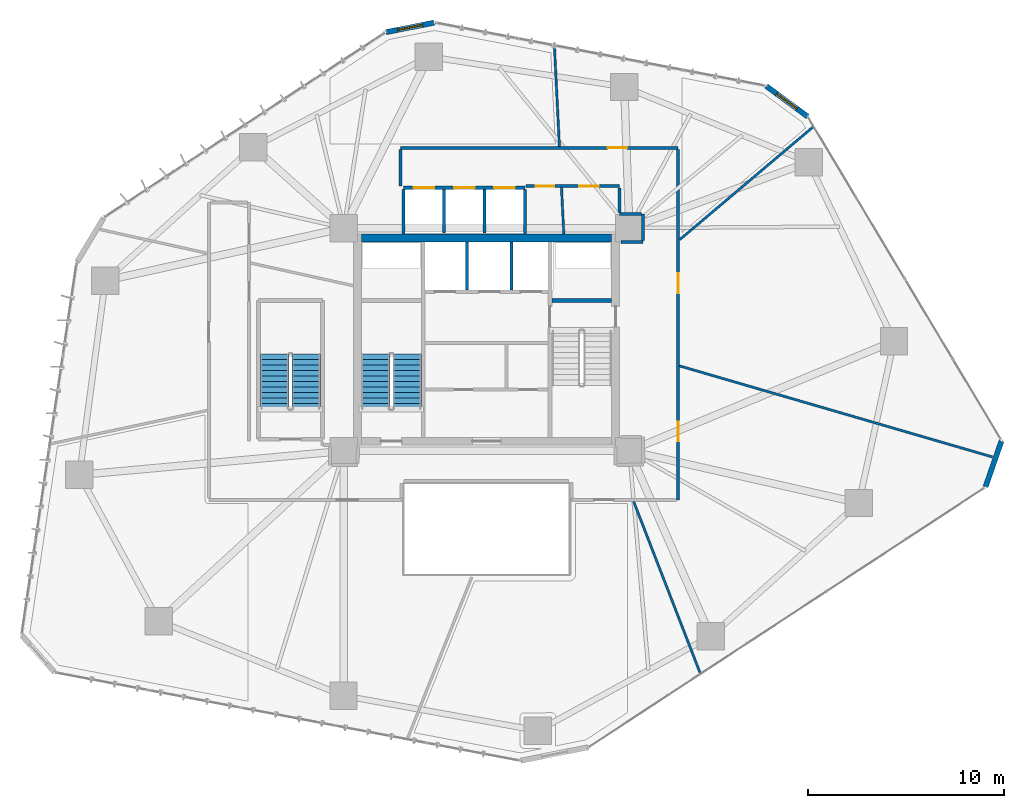
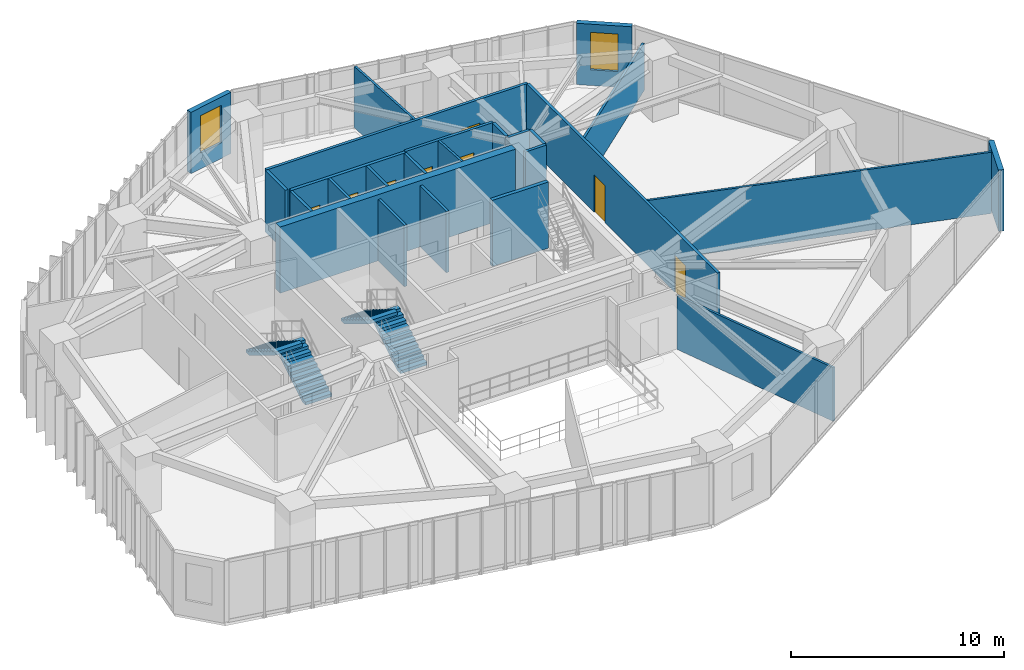
# One storey, part 17 of 20: 25 walls, 8 doors, 4 stair flights, 2 windows, 10 openings, 2 elements without a shape of their own.
"""IFC4 building model written with IfcOpenShell, lengths in metres."""

from ifc_helpers import new_model, si_unit, direction, frame, frame_2d, origin, place, context, subcontext, project, spatial, polyline, rectangle, outline, extrude, source, transform, mapped, material, layer, layer_set, type_object, type_shapes, element, fill, aggregate, save


model = new_model("IFC4")

# Units and contexts
model_context = context("Model", 3, precision=1e-05, world=origin(), true_north=direction((0.0, 1.0)))
body_context = subcontext(model_context, "Body", "Model", "MODEL_VIEW")
ifc_project = project(units=[si_unit("LENGTHUNIT", "METRE"), si_unit("AREAUNIT", "SQUARE_METRE"), si_unit("VOLUMEUNIT", "CUBIC_METRE"), si_unit("PLANEANGLEUNIT", "RADIAN"), si_unit("MASSUNIT", "GRAM", prefix="KILO")], contexts=[model_context])

# Site, building, storey
site_placement = place(None, origin())
site = spatial("IfcSite", under=ifc_project, at=site_placement, CompositionType="ELEMENT")
building_placement = place(site_placement, origin())
building = spatial("IfcBuilding", under=site, at=building_placement, Name="Talar Marvaseh", CompositionType="ELEMENT")
storey_placement = place(building_placement, frame((0.0, 0.0, 58.199951171875)))
storey = spatial("IfcBuildingStorey", under=building, at=storey_placement, Name="L14", CompositionType="ELEMENT", Elevation=58.199951171875)

# Wall, opening, window
ifc_material_1 = material(Name="Precast concrete C45/55", Category="concrete")
ifc_layer_1 = layer(ifc_material_1, 0.27001953125)
ifc_layer_set_1 = layer_set([ifc_layer_1], Name="Precast concrete C45/55")
wall_type_1 = type_object("IfcWallType", Name="Chamfered Hexagonal Corner Pier Wall Z1 270", PredefinedType="SOLIDWALL", material=ifc_layer_set_1)
wall_1_placement = place(storey_placement, frame((20.8544921875, 46.919189453125, 0.0), z_axis=(0.0, 0.0, 1.0), x_axis=(0.980777968654, 0.195127077064, 0.0)))
wall_1 = element("IfcWall", 1, at=wall_1_placement, inside=storey, type_object=wall_type_1, Name="L14 Chamfered Corner Limestone Pier 3", PredefinedType="SOLIDWALL", context=body_context, shape_type="SweptSolid", body=[
    extrude(rectangle(XDim=2.51611328125, YDim=0.27001953125, at=frame_2d((1.258056640625, 0.0))), origin(), (0.0, 0.0, 1.0), 3.52001953125),
])
opening_1_placement = place(wall_1_placement, frame((0.60791015625, 0.0, 0.89990234375)))
opening_1 = element("IfcOpeningElement", 2, at=opening_1_placement, cuts=wall_1, Name="Opening WN-CHM13", PredefinedType="OPENING", context=body_context, shape_type="SweptSolid", body=[
    extrude(rectangle(XDim=1.300048828125, YDim=2.14990234375, at=frame_2d((0.64990234375, 1.074951171875))), frame((0.0, 0.14501953125, 0.0), z_axis=(0.0, -1.0, 0.0), x_axis=(1.0, 0.0, 0.0)), (0.0, 0.0, 1.0), 0.2900390625),
])
ifc_material_2 = material(Name="Laminated Low-E Solar Glass", Category="glass")
window_type = type_object("IfcWindowType", Name="Zone 1 Chamfered Corner Slot Window 1300x2150", PartitioningType="SINGLE_PANEL", PredefinedType="WINDOW", material=ifc_material_2)
shared_shape_1 = source(origin(), body_context, "Body", "SweptSolid", [
    extrude(rectangle(XDim=1.300048828125, YDim=2.14990234375, at=frame_2d((0.64990234375, 1.074951171875))), frame((0.0, 0.030029296875, 0.0), z_axis=(0.0, -1.0, 0.0), x_axis=(1.0, 0.0, 0.0)), (0.0, 0.0, 1.0), 0.06005859375),
])
type_shapes(window_type, [shared_shape_1])
window_1_placement = place(opening_1_placement, origin())
window_1 = element("IfcWindow", 3, at=window_1_placement, inside=storey, type_object=window_type, Name="L14 Chamfered Corner Slot Window", OverallHeight=2.14990234375, OverallWidth=1.300048828125, PartitioningType="SINGLE_PANEL", PredefinedType="WINDOW", context=body_context, shape_type="MappedRepresentation", body=[
    mapped(shared_shape_1, transform((0.0, 0.0, 0.0), x_axis=(1.0, 0.0, 0.0), y_axis=(0.0, 1.0, 0.0), z_axis=(0.0, 0.0, 1.0), scale=1.0)),
])
fill(opening_1, window_1)

wall_2_placement = place(storey_placement, frame((40.310546875, 44.16259765625, 0.0), z_axis=(0.0, 0.0, 1.0), x_axis=(0.80511899108, -0.593113319865, 0.0)))
wall_2 = element("IfcWall", 4, at=wall_2_placement, inside=storey, type_object=wall_type_1, Name="L14 Chamfered Corner Limestone Pier 4", PredefinedType="SOLIDWALL", context=body_context, shape_type="SweptSolid", body=[
    extrude(rectangle(XDim=2.623291015625, YDim=0.27001953125, at=frame_2d((1.3115234375, 0.0))), origin(), (0.0, 0.0, 1.0), 3.52001953125),
])
opening_2_placement = place(wall_2_placement, frame((0.662109375, 0.0, 0.89990234375)))
opening_2 = element("IfcOpeningElement", 5, at=opening_2_placement, cuts=wall_2, Name="Opening WN-CHM13", PredefinedType="OPENING", context=body_context, shape_type="SweptSolid", body=[
    extrude(rectangle(XDim=1.300048828125, YDim=2.14990234375, at=frame_2d((0.64990234375, 1.074951171875))), frame((0.0, 0.14501953125, 0.0), z_axis=(0.0, -1.0, 0.0), x_axis=(1.0, 0.0, 0.0)), (0.0, 0.0, 1.0), 0.2900390625),
])
window_2_placement = place(opening_2_placement, origin())
window_2 = element("IfcWindow", 6, at=window_2_placement, inside=storey, type_object=window_type, Name="L14 Chamfered Corner Slot Window", OverallHeight=2.14990234375, OverallWidth=1.300048828125, PartitioningType="SINGLE_PANEL", PredefinedType="WINDOW", context=body_context, shape_type="MappedRepresentation", body=[
    mapped(shared_shape_1, transform((0.0, 0.0, 0.0), x_axis=(1.0, 0.0, 0.0), y_axis=(0.0, 1.0, 0.0), z_axis=(0.0, 0.0, 1.0), scale=1.0)),
])
fill(opening_2, window_2)

# Wall
wall_3_placement = place(storey_placement, frame((52.339111328125, 26.00732421875, 0.0), z_axis=(0.0, 0.0, 1.0), x_axis=(-0.328467255693, -0.944515358233, 0.0)))
element("IfcWall", 7, at=wall_3_placement, inside=storey, type_object=wall_type_1, Name="L14 Chamfered Corner Limestone Pier 5", PredefinedType="SOLIDWALL", context=body_context, shape_type="SweptSolid", body=[
    extrude(rectangle(XDim=2.484130859375, YDim=0.27001953125, at=frame_2d((1.2421875, 0.0))), origin(), (0.0, 0.0, 1.0), 3.52001953125),
])

# Wall, openings, doors
ifc_material_3 = material(Name="Gypsum Board Partition Assembly")
ifc_layer_2 = layer(ifc_material_3, 0.155029296875)
ifc_layer_set_2 = layer_set([ifc_layer_2], Name="Gypsum Board Partition Assembly")
wall_type_2 = type_object("IfcWallType", Name="Corridor Fire-Rated Acoustic Partition 155", PredefinedType="PARTITIONING", material=ifc_layer_set_2)
wall_4_placement = place(storey_placement, frame((32.800048828125, 39.0400390625, 0.0), z_axis=(0.0, 0.0, 1.0), x_axis=(-1.0, 0.0, 0.0)))
wall_4 = element("IfcWall", 8, at=wall_4_placement, inside=storey, type_object=wall_type_2, Name="L14 Interior Partition Wall", PredefinedType="PARTITIONING", context=body_context, shape_type="SweptSolid", body=[
    extrude(rectangle(XDim=4.77001953125, YDim=0.155029296875, at=frame_2d((2.385009765625, 0.0))), origin(), (0.0, 0.0, 1.0), 3.52001953125),
])
opening_3_placement = place(wall_4_placement, frame((1.056884765625, 0.0, 0.0)))
opening_3 = element("IfcOpeningElement", 9, at=opening_3_placement, cuts=wall_4, Name="Opening DR-RM100", PredefinedType="OPENING", context=body_context, shape_type="SweptSolid", body=[
    extrude(rectangle(XDim=1.0, YDim=2.14990234375, at=frame_2d((0.5, 1.074951171875))), frame((0.0, 0.08740234375, 0.0), z_axis=(0.0, -1.0, 0.0), x_axis=(1.0, 0.0, 0.0)), (0.0, 0.0, 1.0), 0.175048828125),
])
opening_4_placement = place(wall_4_placement, frame((3.326904296875, 0.0, 0.0)))
opening_4 = element("IfcOpeningElement", 10, at=opening_4_placement, cuts=wall_4, Name="Opening DR-WC095", PredefinedType="OPENING", context=body_context, shape_type="SweptSolid", body=[
    extrude(rectangle(XDim=0.949951171875, YDim=2.14990234375, at=frame_2d((0.47509765625, 1.074951171875))), frame((0.0, 0.08740234375, 0.0), z_axis=(0.0, -1.0, 0.0), x_axis=(1.0, 0.0, 0.0)), (0.0, 0.0, 1.0), 0.175048828125),
])
ifc_material_4 = material(Name="Acoustic Engineered Oak Timber", Category="wood")
door_type_1 = type_object("IfcDoorType", Name="Washroom and Service Room Door 950x2150", OperationType="NOTDEFINED", PredefinedType="DOOR", material=ifc_material_4)
shared_shape_2 = source(origin(), body_context, "Body", "SweptSolid", [
    extrude(rectangle(XDim=0.949951171875, YDim=2.14990234375, at=frame_2d((0.47509765625, 1.074951171875))), frame((0.0, 0.02490234375, 0.0), z_axis=(0.0, -1.0, 0.0), x_axis=(1.0, 0.0, 0.0)), (0.0, 0.0, 1.0), 0.050048828125),
])
type_shapes(door_type_1, [shared_shape_2])
door_1_placement = place(opening_4_placement, origin())
door_1 = element("IfcDoor", 11, at=door_1_placement, inside=storey, type_object=door_type_1, Name="L14 WC Public Washrooms Door", OperationType="SINGLE_SWING_LEFT", OverallHeight=2.14990234375, OverallWidth=0.949951171875, PredefinedType="DOOR", context=body_context, shape_type="MappedRepresentation", body=[
    mapped(shared_shape_2, transform((0.0, 0.0, 0.0), x_axis=(1.0, 0.0, 0.0), y_axis=(0.0, 1.0, 0.0), z_axis=(0.0, 0.0, 1.0), scale=1.0)),
])
fill(opening_4, door_1)
door_type_2 = type_object("IfcDoorType", Name="Corridor Fire-Rated Gallery Door 1000x2150", OperationType="NOTDEFINED", PredefinedType="DOOR", material=ifc_material_4)
shared_shape_3 = source(origin(), body_context, "Body", "SweptSolid", [
    extrude(rectangle(XDim=1.0, YDim=2.14990234375, at=frame_2d((0.5, 1.074951171875))), frame((0.0, 0.02490234375, 0.0), z_axis=(0.0, -1.0, 0.0), x_axis=(1.0, 0.0, 0.0)), (0.0, 0.0, 1.0), 0.050048828125),
])
type_shapes(door_type_2, [shared_shape_3])
door_2_placement = place(opening_3_placement, origin())
door_2 = element("IfcDoor", 12, at=door_2_placement, inside=storey, type_object=door_type_2, Name="L14 Archival Facsimile Boutique Door", OperationType="SINGLE_SWING_RIGHT", OverallHeight=2.14990234375, OverallWidth=1.0, PredefinedType="DOOR", context=body_context, shape_type="MappedRepresentation", body=[
    mapped(shared_shape_3, transform((0.0, 0.0, 0.0), x_axis=(1.0, 0.0, 0.0), y_axis=(0.0, 1.0, 0.0), z_axis=(0.0, 0.0, 1.0), scale=1.0)),
])
fill(opening_3, door_2)

# Wall, opening, door
wall_5_placement = place(storey_placement, frame((21.60009765625, 41.0, 0.0), z_axis=(0.0, 0.0, 1.0), x_axis=(1.0, 0.0, 0.0)))
wall_5 = element("IfcWall", 13, at=wall_5_placement, inside=storey, type_object=wall_type_2, Name="L14 Interior Partition Wall", PredefinedType="PARTITIONING", context=body_context, shape_type="SweptSolid", body=[
    extrude(rectangle(XDim=14.199951171875, YDim=0.155029296875, at=frame_2d((7.10009765625, 0.0))), origin(), (0.0, 0.0, 1.0), 3.52001953125),
])
opening_5_placement = place(wall_5_placement, frame((10.59423828125, 0.0, 0.0)))
opening_5 = element("IfcOpeningElement", 14, at=opening_5_placement, cuts=wall_5, Name="Opening DR-RM100", PredefinedType="OPENING", context=body_context, shape_type="SweptSolid", body=[
    extrude(rectangle(XDim=1.0, YDim=2.14990234375, at=frame_2d((0.5, 1.074951171875))), frame((0.0, 0.08740234375, 0.0), z_axis=(0.0, -1.0, 0.0), x_axis=(1.0, 0.0, 0.0)), (0.0, 0.0, 1.0), 0.175048828125),
])
door_3_placement = place(opening_5_placement, origin())
door_3 = element("IfcDoor", 15, at=door_3_placement, inside=storey, type_object=door_type_2, Name="L14 Chamber Recital Salon Door", OperationType="SINGLE_SWING_LEFT", OverallHeight=2.14990234375, OverallWidth=1.0, PredefinedType="DOOR", context=body_context, shape_type="MappedRepresentation", body=[
    mapped(shared_shape_3, transform((0.0, 0.0, 0.0), x_axis=(1.0, 0.0, 0.0), y_axis=(0.0, 1.0, 0.0), z_axis=(0.0, 0.0, 1.0), scale=1.0)),
])
fill(opening_5, door_3)

# Wall, openings, doors
wall_6_placement = place(storey_placement, frame((35.800048828125, 40.91650390625, 0.0), z_axis=(0.0, 0.0, 1.0), x_axis=(0.0, -1.0, 0.0)))
wall_6 = element("IfcWall", 16, at=wall_6_placement, inside=storey, type_object=wall_type_2, Name="L14 Interior Partition Wall", PredefinedType="PARTITIONING", context=body_context, shape_type="SweptSolid", body=[
    extrude(rectangle(XDim=17.91650390625, YDim=0.155029296875, at=frame_2d((8.958251953125, 0.0))), origin(), (0.0, 0.0, 1.0), 3.52001953125),
])
opening_6_placement = place(wall_6_placement, frame((13.91162109375, 0.0, 0.0)))
opening_6 = element("IfcOpeningElement", 17, at=opening_6_placement, cuts=wall_6, Name="Opening DR-RM100", PredefinedType="OPENING", context=body_context, shape_type="SweptSolid", body=[
    extrude(rectangle(XDim=1.0, YDim=2.14990234375, at=frame_2d((0.5, 1.074951171875))), frame((0.0, 0.08740234375, 0.0), z_axis=(0.0, -1.0, 0.0), x_axis=(1.0, 0.0, 0.0)), (0.0, 0.0, 1.0), 0.175048828125),
])
opening_7_placement = place(wall_6_placement, frame((6.339599609375, 0.0, 0.0)))
opening_7 = element("IfcOpeningElement", 18, at=opening_7_placement, cuts=wall_6, Name="Opening DR-RM100", PredefinedType="OPENING", context=body_context, shape_type="SweptSolid", body=[
    extrude(rectangle(XDim=1.0, YDim=2.14990234375, at=frame_2d((0.5, 1.074951171875))), frame((0.0, 0.08740234375, 0.0), z_axis=(0.0, -1.0, 0.0), x_axis=(1.0, 0.0, 0.0)), (0.0, 0.0, 1.0), 0.175048828125),
])
door_4_placement = place(opening_6_placement, origin())
door_4 = element("IfcDoor", 19, at=door_4_placement, inside=storey, type_object=door_type_2, Name="L14 Main Reading Room Door", OperationType="SINGLE_SWING_LEFT", OverallHeight=2.14990234375, OverallWidth=1.0, PredefinedType="DOOR", context=body_context, shape_type="MappedRepresentation", body=[
    mapped(shared_shape_3, transform((0.0, 0.0, 0.0), x_axis=(1.0, 0.0, 0.0), y_axis=(0.0, 1.0, 0.0), z_axis=(0.0, 0.0, 1.0), scale=1.0)),
])
fill(opening_6, door_4)
door_5_placement = place(opening_7_placement, origin())
door_5 = element("IfcDoor", 20, at=door_5_placement, inside=storey, type_object=door_type_2, Name="L14 Artisan Craft Showroom Door", OperationType="SINGLE_SWING_RIGHT", OverallHeight=2.14990234375, OverallWidth=1.0, PredefinedType="DOOR", context=body_context, shape_type="MappedRepresentation", body=[
    mapped(shared_shape_3, transform((0.0, 0.0, 0.0), x_axis=(1.0, 0.0, 0.0), y_axis=(0.0, 1.0, 0.0), z_axis=(0.0, 0.0, 1.0), scale=1.0)),
])
fill(opening_7, door_5)

# Walls
wall_7_placement = place(storey_placement, frame((32.8701171875, 36.18505859375, 0.0), z_axis=(0.0, 0.0, 1.0), x_axis=(0.999988932255, 0.00470482389, 0.0)))
element("IfcWall", 21, at=wall_7_placement, inside=storey, type_object=wall_type_2, Name="L14 Interior Partition Wall", PredefinedType="PARTITIONING", context=body_context, shape_type="SweptSolid", body=[
    extrude(rectangle(XDim=1.1416015625, YDim=0.155029296875, at=frame_2d((0.57080078125, 0.0))), origin(), (0.0, 0.0, 1.0), 3.52001953125),
])
wall_8_placement = place(storey_placement, frame((34.01171875, 36.27392578125, 0.0), z_axis=(0.0, 0.0, 1.0), x_axis=(0.0, 1.0, 0.0)))
element("IfcWall", 22, at=wall_8_placement, inside=storey, type_object=wall_type_2, Name="L14 Interior Partition Wall", PredefinedType="PARTITIONING", context=body_context, shape_type="SweptSolid", body=[
    extrude(rectangle(XDim=1.335693359375, YDim=0.155029296875, at=frame_2d((0.66796875, 0.0))), origin(), (0.0, 0.0, 1.0), 3.52001953125),
])
wall_9_placement = place(storey_placement, frame((33.927978515625, 37.60986328125, 0.0), z_axis=(0.0, 0.0, 1.0), x_axis=(-0.999989669582, 0.004545407589, 0.0)))
element("IfcWall", 23, at=wall_9_placement, inside=storey, type_object=wall_type_2, Name="L14 Interior Partition Wall", PredefinedType="PARTITIONING", context=body_context, shape_type="SweptSolid", body=[
    extrude(rectangle(XDim=1.1279296875, YDim=0.155029296875, at=frame_2d((0.56396484375, 0.0))), origin(), (0.0, 0.0, 1.0), 3.52001953125),
])
wall_10_placement = place(storey_placement, frame((32.800048828125, 37.698486328125, 0.0), z_axis=(0.0, 0.0, 1.0), x_axis=(0.0, 1.0, 0.0)))
element("IfcWall", 24, at=wall_10_placement, inside=storey, type_object=wall_type_2, Name="L14 Interior Partition Wall", PredefinedType="PARTITIONING", context=body_context, shape_type="SweptSolid", body=[
    extrude(rectangle(XDim=1.258056640625, YDim=0.155029296875, at=frame_2d((0.62890625, 0.0))), origin(), (0.0, 0.0, 1.0), 3.52001953125),
])
wall_11_placement = place(storey_placement, frame((21.60009765625, 39.0400390625, 0.0), z_axis=(0.0, 0.0, 1.0), x_axis=(0.0, 1.0, 0.0)))
element("IfcWall", 25, at=wall_11_placement, inside=storey, type_object=wall_type_2, Name="L14 Interior Partition Wall", PredefinedType="PARTITIONING", context=body_context, shape_type="SweptSolid", body=[
    extrude(rectangle(XDim=1.87646484375, YDim=0.155029296875, at=frame_2d((0.938232421875, 0.0))), origin(), (0.0, 0.0, 1.0), 3.52001953125),
])
ifc_layer_3 = layer(ifc_material_3, 0.1201171875)
ifc_layer_set_3 = layer_set([ifc_layer_3], Name="Gypsum Board Partition Assembly")
wall_type_3 = type_object("IfcWallType", Name="Demountable Studio Room Partition 120", PredefinedType="PARTITIONING", material=ifc_layer_set_3)
wall_12_placement = place(storey_placement, frame((33.5224609375, 22.91650390625, 0.0), z_axis=(0.0, 0.0, 1.0), x_axis=(0.361403978121, -0.932409333178, 0.0)))
element("IfcWall", 26, at=wall_12_placement, inside=storey, type_object=wall_type_3, Name="L14 Interior Partition Wall", PredefinedType="PARTITIONING", context=body_context, shape_type="SweptSolid", body=[
    extrude(rectangle(XDim=9.440673828125, YDim=0.1201171875, at=frame_2d((4.72021484375, 0.0))), origin(), (0.0, 0.0, 1.0), 3.08203125),
])
wall_13_placement = place(storey_placement, frame((35.8623046875, 29.851806640625, 0.0), z_axis=(0.0, 0.0, 1.0), x_axis=(0.960179661243, -0.279383281774, 0.0)))
element("IfcWall", 27, at=wall_13_placement, inside=storey, type_object=wall_type_3, Name="L14 Interior Partition Wall", PredefinedType="PARTITIONING", context=body_context, shape_type="SweptSolid", body=[
    extrude(rectangle(XDim=16.677490234375, YDim=0.1201171875, at=frame_2d((8.3388671875, 0.0))), origin(), (0.0, 0.0, 1.0), 3.52001953125),
])
wall_14_placement = place(storey_placement, frame((35.883544921875, 36.310546875, 0.0), z_axis=(0.0, 0.0, 1.0), x_axis=(0.763767261297, 0.645491727732, 0.0)))
element("IfcWall", 28, at=wall_14_placement, inside=storey, type_object=wall_type_3, Name="L14 Interior Partition Wall", PredefinedType="PARTITIONING", context=body_context, shape_type="SweptSolid", body=[
    extrude(rectangle(XDim=8.94189453125, YDim=0.1201171875, at=frame_2d((4.470947265625, 0.0))), origin(), (0.0, 0.0, 1.0), 2.72216796875),
])
wall_15_placement = place(storey_placement, frame((29.726806640625, 41.06494140625, 0.0), z_axis=(0.0, 0.0, 1.0), x_axis=(-0.049666053953, 0.998765880016, 0.0)))
element("IfcWall", 29, at=wall_15_placement, inside=storey, type_object=wall_type_3, Name="L14 Interior Partition Wall", PredefinedType="PARTITIONING", context=body_context, shape_type="SweptSolid", body=[
    extrude(rectangle(XDim=5.156494140625, YDim=0.1201171875, at=frame_2d((2.578125, 0.0))), origin(), (0.0, 0.0, 1.0), 3.52001953125),
])
wall_16_placement = place(storey_placement, frame((29.949951171875, 36.60009765625, 0.0), z_axis=(0.0, 0.0, 1.0), x_axis=(-0.049077302831, 0.998794983141, 0.0)))
element("IfcWall", 30, at=wall_16_placement, inside=storey, type_object=wall_type_3, Name="L14 Interior Partition Wall", PredefinedType="PARTITIONING", context=body_context, shape_type="SweptSolid", body=[
    extrude(rectangle(XDim=2.3779296875, YDim=0.1201171875, at=frame_2d((1.18896484375, 0.0))), origin(), (0.0, 0.0, 1.0), 3.52001953125),
])
ifc_layer_4 = layer(ifc_material_1, 0.14501953125)
ifc_layer_set_4 = layer_set([ifc_layer_4], Name="Precast concrete C45/55")
wall_type_4 = type_object("IfcWallType", Name="Fire-Rated Lift Divider Wall 145", PredefinedType="SOLIDWALL", material=ifc_layer_set_4)
for number, where, z_axis, x_axis, name in (
    (31, (25.0, 33.743408203125, 0.0), (0.0, 0.0, 1.0), (0.0, 1.0, 0.0), "L14 FFL-1/FFL-2 Divider"),
    (32, (27.280029296875, 33.743408203125, 0.0), (0.0, 0.0, 1.0), (0.0, 1.0, 0.0), "L14 FFL-2/SVL-1 Divider"),
):
    element("IfcWall", number, at=place(storey_placement, frame(where, z_axis=z_axis, x_axis=x_axis)), inside=storey, type_object=wall_type_4, Name=name, PredefinedType="SOLIDWALL", context=body_context, shape_type="SweptSolid", body=[
        extrude(rectangle(XDim=2.45654296875, YDim=0.14501953125, at=frame_2d((1.228271484375, 0.0))), origin(), (0.0, 0.0, 1.0), 3.52001953125),
    ])
for number, where, z_axis, x_axis, name in (
    (33, (21.760009765625, 36.60009765625, 0.0), (0.0, 0.0, 1.0), (0.0, 1.0, 0.0), "L14 Low-Rise Bank West Wall"),
    (34, (27.9599609375, 36.60009765625, 0.0), (0.0, 0.0, 1.0), (0.0, 1.0, 0.0), "L14 Low-Rise Bank East Wall"),
):
    element("IfcWall", number, at=place(storey_placement, frame(where, z_axis=z_axis, x_axis=x_axis)), inside=storey, type_object=wall_type_4, Name=name, PredefinedType="SOLIDWALL", context=body_context, shape_type="SweptSolid", body=[
        extrude(rectangle(XDim=2.266357421875, YDim=0.14501953125, at=frame_2d((1.13330078125, 0.0))), origin(), (0.0, 0.0, 1.0), 3.52001953125),
    ])
for number, where, z_axis, x_axis, name in (
    (35, (23.830078125, 36.659912109375, 0.0), (0.0, 0.0, 1.0), (0.0, 1.0, 0.0), "L14 PL-L1/PL-L2 Divider"),
    (36, (25.889892578125, 36.659912109375, 0.0), (0.0, 0.0, 1.0), (0.0, 1.0, 0.0), "L14 PL-L2/PL-L3 Divider"),
):
    element("IfcWall", number, at=place(storey_placement, frame(where, z_axis=z_axis, x_axis=x_axis)), inside=storey, type_object=wall_type_4, Name=name, PredefinedType="SOLIDWALL", context=body_context, shape_type="SweptSolid", body=[
        extrude(rectangle(XDim=2.20654296875, YDim=0.14501953125, at=frame_2d((1.103271484375, 0.0))), origin(), (0.0, 0.0, 1.0), 3.52001953125),
    ])

# Wall, openings, doors
ifc_layer_5 = layer(ifc_material_1, 0.175048828125)
ifc_layer_set_5 = layer_set([ifc_layer_5], Name="Precast concrete C45/55")
wall_type_5 = type_object("IfcWallType", Name="Fire-Rated Lift Hoistway Enclosure Wall 175", PredefinedType="SOLIDWALL", material=ifc_layer_set_5)
wall_17_placement = place(storey_placement, frame((21.760009765625, 38.9599609375, 0.0), z_axis=(0.0, 0.0, 1.0), x_axis=(1.0, 0.0, 0.0)))
wall_17 = element("IfcWall", 37, at=wall_17_placement, inside=storey, type_object=wall_type_5, Name="L14 Low-Rise Lift Bank Front Wall", PredefinedType="SOLIDWALL", context=body_context, shape_type="SweptSolid", body=[
    extrude(rectangle(XDim=6.199951171875, YDim=0.175048828125, at=frame_2d((3.10009765625, 0.0))), origin(), (0.0, 0.0, 1.0), 3.52001953125),
])
opening_8_placement = place(wall_17_placement, frame((0.52001953125, 0.0, 0.0)))
opening_8 = element("IfcOpeningElement", 38, at=opening_8_placement, cuts=wall_17, Name="Opening LD-PLL1", PredefinedType="OPENING", context=body_context, shape_type="SweptSolid", body=[
    extrude(rectangle(XDim=1.050048828125, YDim=2.14990234375, at=frame_2d((0.52490234375, 1.074951171875))), frame((0.0, 0.09765625, 0.0), z_axis=(0.0, -1.0, 0.0), x_axis=(1.0, 0.0, 0.0)), (0.0, 0.0, 1.0), 0.195068359375),
])
opening_9_placement = place(wall_17_placement, frame((2.580078125, 0.0, 0.0)))
opening_9 = element("IfcOpeningElement", 39, at=opening_9_placement, cuts=wall_17, Name="Opening LD-PLL2", PredefinedType="OPENING", context=body_context, shape_type="SweptSolid", body=[
    extrude(rectangle(XDim=1.050048828125, YDim=2.14990234375, at=frame_2d((0.52490234375, 1.074951171875))), frame((0.0, 0.09765625, 0.0), z_axis=(0.0, -1.0, 0.0), x_axis=(1.0, 0.0, 0.0)), (0.0, 0.0, 1.0), 0.195068359375),
])
opening_10_placement = place(wall_17_placement, frame((4.639892578125, 0.0, 0.0)))
opening_10 = element("IfcOpeningElement", 40, at=opening_10_placement, cuts=wall_17, Name="Opening LD-PLL3", PredefinedType="OPENING", context=body_context, shape_type="SweptSolid", body=[
    extrude(rectangle(XDim=1.050048828125, YDim=2.14990234375, at=frame_2d((0.52490234375, 1.074951171875))), frame((0.0, 0.09765625, 0.0), z_axis=(0.0, -1.0, 0.0), x_axis=(1.0, 0.0, 0.0)), (0.0, 0.0, 1.0), 0.195068359375),
])
ifc_material_5 = material(Name="Stainless Steel Grade 316", Category="steel")
door_type_3 = type_object("IfcDoorType", Name="Automatic Sliding Lift Landing Door 1050x2150", OperationType="NOTDEFINED", PredefinedType="DOOR", material=ifc_material_5)
shared_shape_4 = source(origin(), body_context, "Body", "SweptSolid", [
    extrude(rectangle(XDim=1.050048828125, YDim=2.14990234375, at=frame_2d((0.52490234375, 1.074951171875))), frame((0.0, 0.02490234375, 0.0), z_axis=(0.0, -1.0, 0.0), x_axis=(1.0, 0.0, 0.0)), (0.0, 0.0, 1.0), 0.050048828125),
])
type_shapes(door_type_3, [shared_shape_4])
door_6_placement = place(opening_8_placement, origin())
door_6 = element("IfcDoor", 41, at=door_6_placement, inside=storey, type_object=door_type_3, Name="L14 Lift PL-L1 Sliding Landing Door", OperationType="SLIDING_TO_LEFT", OverallHeight=2.14990234375, OverallWidth=1.050048828125, PredefinedType="DOOR", context=body_context, shape_type="MappedRepresentation", body=[
    mapped(shared_shape_4, transform((0.0, 0.0, 0.0), x_axis=(1.0, 0.0, 0.0), y_axis=(0.0, 1.0, 0.0), z_axis=(0.0, 0.0, 1.0), scale=1.0)),
])
fill(opening_8, door_6)
door_7_placement = place(opening_9_placement, origin())
door_7 = element("IfcDoor", 42, at=door_7_placement, inside=storey, type_object=door_type_3, Name="L14 Lift PL-L2 Sliding Landing Door", OperationType="SLIDING_TO_LEFT", OverallHeight=2.14990234375, OverallWidth=1.050048828125, PredefinedType="DOOR", context=body_context, shape_type="MappedRepresentation", body=[
    mapped(shared_shape_4, transform((0.0, 0.0, 0.0), x_axis=(1.0, 0.0, 0.0), y_axis=(0.0, 1.0, 0.0), z_axis=(0.0, 0.0, 1.0), scale=1.0)),
])
fill(opening_9, door_7)
door_8_placement = place(opening_10_placement, origin())
door_8 = element("IfcDoor", 43, at=door_8_placement, inside=storey, type_object=door_type_3, Name="L14 Lift PL-L3 Sliding Landing Door", OperationType="SLIDING_TO_LEFT", OverallHeight=2.14990234375, OverallWidth=1.050048828125, PredefinedType="DOOR", context=body_context, shape_type="MappedRepresentation", body=[
    mapped(shared_shape_4, transform((0.0, 0.0, 0.0), x_axis=(1.0, 0.0, 0.0), y_axis=(0.0, 1.0, 0.0), z_axis=(0.0, 0.0, 1.0), scale=1.0)),
])
fill(opening_10, door_8)

# Walls
ifc_material_6 = material(Name="Concrete C70/85", Category="concrete")
ifc_layer_6 = layer(ifc_material_6, 0.39990234375)
ifc_layer_set_6 = layer_set([ifc_layer_6], Name="Concrete C70/85")
wall_type_6 = type_object("IfcWallType", Name="Lower Core Reinforced Concrete Shear Wall 400", PredefinedType="SHEAR", material=ifc_layer_set_6)
wall_18_placement = place(storey_placement, frame((19.60009765625, 36.39990234375, 0.0), z_axis=(0.0, 0.0, 1.0), x_axis=(1.0, 0.0, 0.0)))
element("IfcWall", 44, at=wall_18_placement, inside=storey, type_object=wall_type_6, Name="L14 North Core Shear Wall", PredefinedType="SHEAR", context=body_context, shape_type="SweptSolid", body=[
    extrude(rectangle(XDim=12.7998046875, YDim=0.39990234375, at=frame_2d((6.39990234375, 0.0))), origin(), (0.0, 0.0, 1.0), 3.800048828125),
])
ifc_material_7 = material(Name="Concrete C50/60", Category="concrete")
ifc_layer_7 = layer(ifc_material_7, 0.199951171875)
ifc_layer_set_7 = layer_set([ifc_layer_7], Name="Concrete C50/60")
wall_type_7 = type_object("IfcWallType", Name="Stair Shaft Structural Concrete Shear Wall 200", PredefinedType="SHEAR", material=ifc_layer_set_7)
wall_19_placement = place(storey_placement, frame((29.340087890625, 33.199951171875, 0.0), z_axis=(0.0, 0.0, 1.0), x_axis=(1.0, 0.0, 0.0)))
element("IfcWall", 45, at=wall_19_placement, inside=storey, type_object=wall_type_7, Name="L14 Stair ST-2 North Shear Wall", PredefinedType="SHEAR", context=body_context, shape_type="SweptSolid", body=[
    extrude(rectangle(XDim=3.059814453125, YDim=0.199951171875, at=frame_2d((1.52978515625, 0.0))), origin(), (0.0, 0.0, 1.0), 3.800048828125),
])

# Stair, stair flights
ifc_material_8 = material(Name="Concrete C40/50", Category="concrete")
stair_type = type_object("IfcStairType", Name="Reinforced Concrete Half-Turn Exit Stair Type B", PredefinedType="HALF_TURN_STAIR", material=ifc_material_8)
stair_1_placement = place(storey_placement, origin())
stair_1 = element("IfcStair", 46, at=stair_1_placement, inside=storey, type_object=stair_type, Name="L14 Tower West Core Exit Stair", PredefinedType="HALF_TURN_STAIR")
ifc_layer_8 = layer(ifc_material_8, 0.159912109375)
ifc_layer_set_8 = layer_set([ifc_layer_8], Name="Concrete C40/50")
stair_flight_type = type_object("IfcStairFlightType", Name="Reinforced Concrete Straight Stair Flight 160", PredefinedType="STRAIGHT", material=ifc_layer_set_8)
stair_flight_1_placement = place(storey_placement, frame((21.93505859375, 27.64990234375, 0.0), z_axis=(0.0, 0.0, 1.0), x_axis=(0.0, 1.0, 0.0)))
stair_flight_1 = element("IfcStairFlight", 47, at=stair_flight_1_placement, type_object=stair_flight_type, Name="ST-1 flight 1", NumberOfRisers=11, NumberOfTreads=10, PredefinedType="STRAIGHT", RiserHeight=0.172727273, TreadLength=0.28, context=body_context, shape_type="SweptSolid", body=[
    extrude(outline(polyline([(0.0, 0.0), (0.0, 0.172607421875), (0.280029296875, 0.172607421875), (0.280029296875, 0.345458984375), (0.56005859375, 0.345458984375), (0.56005859375, 0.51806640625), (0.840087890625, 0.51806640625), (0.840087890625, 0.69091796875), (1.1201171875, 0.69091796875), (1.1201171875, 0.863525390625), (1.39990234375, 0.863525390625), (1.39990234375, 1.036376953125), (1.679931640625, 1.036376953125), (1.679931640625, 1.208984375), (1.9599609375, 1.208984375), (1.9599609375, 1.3818359375), (2.239990234375, 1.3818359375), (2.239990234375, 1.554443359375), (2.52001953125, 1.554443359375), (2.52001953125, 1.727294921875), (2.800048828125, 1.727294921875), (2.800048828125, 1.89990234375), (2.800048828125, 1.539306640625), (0.3046875, 0.0), (0.0, 0.0)])), frame((0.0, 0.72509765625, 0.0), z_axis=(0.0, -1.0, 0.0), x_axis=(1.0, 0.0, 0.0)), (0.0, 0.0, 1.0), 1.449951171875),
])
stair_flight_2_placement = place(storey_placement, frame((20.324951171875, 30.449951171875, 1.900146484375), z_axis=(0.0, 0.0, 1.0), x_axis=(0.0, -1.0, 0.0)))
stair_flight_2 = element("IfcStairFlight", 48, at=stair_flight_2_placement, type_object=stair_flight_type, Name="ST-1 flight 2", NumberOfRisers=11, NumberOfTreads=10, PredefinedType="STRAIGHT", RiserHeight=0.172727273, TreadLength=0.28, context=body_context, shape_type="SweptSolid", body=[
    extrude(outline(polyline([(0.0, 0.0), (0.0, 0.172607421875), (0.280029296875, 0.172607421875), (0.280029296875, 0.345458984375), (0.56005859375, 0.345458984375), (0.56005859375, 0.51806640625), (0.840087890625, 0.51806640625), (0.840087890625, 0.69091796875), (1.1201171875, 0.69091796875), (1.1201171875, 0.863525390625), (1.39990234375, 0.863525390625), (1.39990234375, 1.036376953125), (1.679931640625, 1.036376953125), (1.679931640625, 1.208984375), (1.9599609375, 1.208984375), (1.9599609375, 1.3818359375), (2.239990234375, 1.3818359375), (2.239990234375, 1.554443359375), (2.52001953125, 1.554443359375), (2.52001953125, 1.727294921875), (2.800048828125, 1.727294921875), (2.800048828125, 1.89990234375), (2.800048828125, 1.539306640625), (0.3046875, 0.0), (0.0, 0.0)])), frame((0.0, 0.72509765625, 0.0), z_axis=(0.0, -1.0, 0.0), x_axis=(1.0, 0.0, 0.0)), (0.0, 0.0, 1.0), 1.449951171875),
])
aggregate(stair_1, [stair_flight_1, stair_flight_2])

stair_2_placement = place(storey_placement, origin())
stair_2 = element("IfcStair", 49, at=stair_2_placement, inside=storey, type_object=stair_type, Name="L14 Museum & Podium Auxiliary Exit Stair", PredefinedType="HALF_TURN_STAIR")
stair_flight_3_placement = place(storey_placement, frame((16.77490234375, 27.64990234375, 0.0), z_axis=(0.0, 0.0, 1.0), x_axis=(0.0, 1.0, 0.0)))
stair_flight_3 = element("IfcStairFlight", 50, at=stair_flight_3_placement, type_object=stair_flight_type, Name="ST-3 flight 1", NumberOfRisers=11, NumberOfTreads=10, PredefinedType="STRAIGHT", RiserHeight=0.172727273, TreadLength=0.28, context=body_context, shape_type="SweptSolid", body=[
    extrude(outline(polyline([(0.0, 0.0), (0.0, 0.172607421875), (0.280029296875, 0.172607421875), (0.280029296875, 0.345458984375), (0.56005859375, 0.345458984375), (0.56005859375, 0.51806640625), (0.840087890625, 0.51806640625), (0.840087890625, 0.69091796875), (1.1201171875, 0.69091796875), (1.1201171875, 0.863525390625), (1.39990234375, 0.863525390625), (1.39990234375, 1.036376953125), (1.679931640625, 1.036376953125), (1.679931640625, 1.208984375), (1.9599609375, 1.208984375), (1.9599609375, 1.3818359375), (2.239990234375, 1.3818359375), (2.239990234375, 1.554443359375), (2.52001953125, 1.554443359375), (2.52001953125, 1.727294921875), (2.800048828125, 1.727294921875), (2.800048828125, 1.89990234375), (2.800048828125, 1.539306640625), (0.3046875, 0.0), (0.0, 0.0)])), frame((0.0, 0.72509765625, 0.0), z_axis=(0.0, -1.0, 0.0), x_axis=(1.0, 0.0, 0.0)), (0.0, 0.0, 1.0), 1.449951171875),
])
stair_flight_4_placement = place(storey_placement, frame((15.1650390625, 30.449951171875, 1.900146484375), z_axis=(0.0, 0.0, 1.0), x_axis=(0.0, -1.0, 0.0)))
stair_flight_4 = element("IfcStairFlight", 51, at=stair_flight_4_placement, type_object=stair_flight_type, Name="ST-3 flight 2", NumberOfRisers=11, NumberOfTreads=10, PredefinedType="STRAIGHT", RiserHeight=0.172727273, TreadLength=0.28, context=body_context, shape_type="SweptSolid", body=[
    extrude(outline(polyline([(0.0, 0.0), (0.0, 0.172607421875), (0.280029296875, 0.172607421875), (0.280029296875, 0.345458984375), (0.56005859375, 0.345458984375), (0.56005859375, 0.51806640625), (0.840087890625, 0.51806640625), (0.840087890625, 0.69091796875), (1.1201171875, 0.69091796875), (1.1201171875, 0.863525390625), (1.39990234375, 0.863525390625), (1.39990234375, 1.036376953125), (1.679931640625, 1.036376953125), (1.679931640625, 1.208984375), (1.9599609375, 1.208984375), (1.9599609375, 1.3818359375), (2.239990234375, 1.3818359375), (2.239990234375, 1.554443359375), (2.52001953125, 1.554443359375), (2.52001953125, 1.727294921875), (2.800048828125, 1.727294921875), (2.800048828125, 1.89990234375), (2.800048828125, 1.539306640625), (0.3046875, 0.0), (0.0, 0.0)])), frame((0.0, 0.72509765625, 0.0), z_axis=(0.0, -1.0, 0.0), x_axis=(1.0, 0.0, 0.0)), (0.0, 0.0, 1.0), 1.449951171875),
])
aggregate(stair_2, [stair_flight_3, stair_flight_4])

save(model, "model.ifc")
